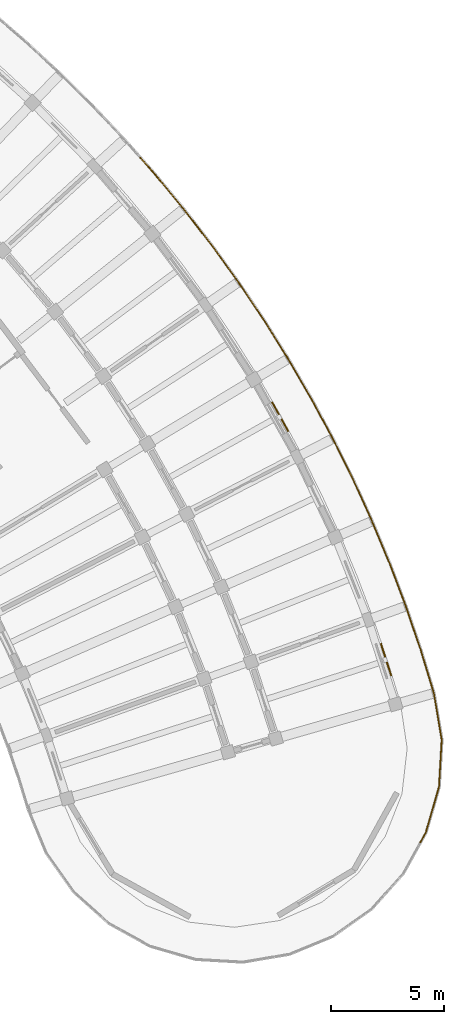
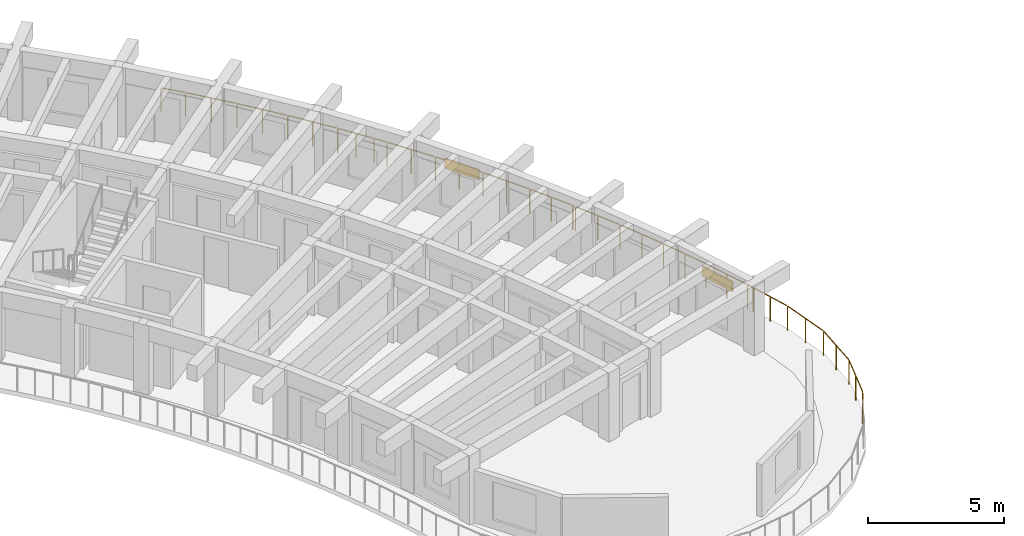
# One storey, part 67 of 69: 4 railings, 2 shading devices.
"""IFC4 building model written with IfcOpenShell, lengths in metres."""

from ifc_helpers import new_model, si_unit, direction, frame, origin, origin_2d, place, context, subcontext, project, spatial, rectangle, circle, extrude, material, layer, layer_set, type_object, element, save


model = new_model("IFC4")

# Units and contexts
model_context = context("Model", 3, precision=1e-05, world=origin(), true_north=direction((0.0, 1.0)))
body_context = subcontext(model_context, "Body", "Model", "MODEL_VIEW")
ifc_project = project(units=[si_unit("LENGTHUNIT", "METRE"), si_unit("AREAUNIT", "SQUARE_METRE"), si_unit("VOLUMEUNIT", "CUBIC_METRE"), si_unit("PLANEANGLEUNIT", "RADIAN"), si_unit("MASSUNIT", "GRAM", prefix="KILO")], contexts=[model_context])

# Site, building, storey
site_placement = place(None, origin())
site = spatial("IfcSite", under=ifc_project, at=site_placement, CompositionType="ELEMENT")
building_placement = place(site_placement, origin())
building = spatial("IfcBuilding", under=site, at=building_placement, Name="Tanwirah Colonnade Gardens", CompositionType="ELEMENT")
storey_placement = place(building_placement, frame((0.0, 0.0, 15.56005859375)))
storey = spatial("IfcBuildingStorey", under=building, at=storey_placement, Name="L04", CompositionType="ELEMENT", Elevation=15.56005859375)

# Railings
ifc_material_1 = material(Name="Precast concrete C40/50", Category="concrete")
railing_type = type_object("IfcRailingType", Name="BAL-EXT112", PredefinedType="BALUSTRADE", material=ifc_material_1)
railing_1_placement = place(storey_placement, frame((166.9609375, 100.77978515625, 0.0)))
element("IfcRailing", 1, at=railing_1_placement, inside=storey, type_object=railing_type, Name="Block B L04 Balcony Ribbon Balustrade 16", PredefinedType="BALUSTRADE", context=body_context, shape_type="SweptSolid", body=[
    extrude(circle(Radius=0.02392578125, at=origin_2d()), frame((0.020751953125, -0.0234375, 1.09619140625), z_axis=(0.662540558748, -0.74902603961, 0.0), x_axis=(0.74902603961, 0.662540558748, 0.0)), (0.0, 0.0, 1.0), 0.885986328125),
    extrude(circle(Radius=0.02392578125, at=origin_2d()), frame((0.6484375, -0.734619140625, 1.09619140625), z_axis=(0.637555355491, -0.770404548717, 0.0), x_axis=(0.770404548717, 0.637555355491, 0.0)), (0.0, 0.0, 1.0), 1.958984375),
    extrude(circle(Radius=0.02392578125, at=origin_2d()), frame((1.936279296875, -2.29248046875, 1.09619140625), z_axis=(0.611856467608, -0.790968812942, 0.0), x_axis=(0.790968812942, 0.611856467608, 0.0)), (0.0, 0.0, 1.0), 1.958984375),
    extrude(circle(Radius=0.02392578125, at=origin_2d()), frame((3.17236328125, -3.89208984375, 1.09619140625), z_axis=(0.585468507287, -0.810695150457, 0.0), x_axis=(0.810695150457, 0.585468507287, 0.0)), (0.0, 0.0, 1.0), 1.958984375),
    extrude(circle(Radius=0.02392578125, at=origin_2d()), frame((4.35498046875, -5.531494140625, 1.09619140625), z_axis=(0.558332900228, -0.829617003516, 0.0), x_axis=(0.829617003516, 0.558332900228, 0.0)), (0.0, 0.0, 1.0), 1.424072265625),
    extrude(circle(Radius=0.02099609375, at=origin_2d()), origin(), (0.0, 0.0, 1.0), 1.069091796875),
    extrude(circle(Radius=0.02099609375, at=origin_2d()), frame((0.62841796875, -0.71044921875, 0.0)), (0.0, 0.0, 1.0), 1.069091796875),
    extrude(circle(Radius=0.02099609375, at=origin_2d()), frame((1.27294921875, -1.4892578125, 0.0)), (0.0, 0.0, 1.0), 1.069091796875),
    extrude(circle(Radius=0.02099609375, at=origin_2d()), frame((1.917236328125, -2.267822265625, 0.0)), (0.0, 0.0, 1.0), 1.069091796875),
    extrude(circle(Radius=0.02099609375, at=origin_2d()), frame((2.53564453125, -3.0673828125, 0.0)), (0.0, 0.0, 1.0), 1.069091796875),
    extrude(circle(Radius=0.02099609375, at=origin_2d()), frame((3.154052734375, -3.86669921875, 0.0)), (0.0, 0.0, 1.0), 1.069091796875),
    extrude(circle(Radius=0.02099609375, at=origin_2d()), frame((3.745849609375, -4.68603515625, 0.0)), (0.0, 0.0, 1.0), 1.069091796875),
    extrude(circle(Radius=0.02099609375, at=origin_2d()), frame((4.337646484375, -5.505615234375, 0.0)), (0.0, 0.0, 1.0), 1.069091796875),
    extrude(circle(Radius=0.02099609375, at=origin_2d()), frame((4.752685546875, -6.122314453125, 0.0)), (0.0, 0.0, 1.0), 1.069091796875),
    extrude(circle(Radius=0.02099609375, at=origin_2d()), frame((5.167724609375, -6.739013671875, 0.0)), (0.0, 0.0, 1.0), 1.069091796875),
])
railing_2_placement = place(storey_placement, frame((172.128662109375, 94.040771484375, 0.0)))
element("IfcRailing", 2, at=railing_2_placement, inside=storey, type_object=railing_type, Name="Block B L04 Balcony Ribbon Balustrade 17", PredefinedType="BALUSTRADE", context=body_context, shape_type="SweptSolid", body=[
    extrude(circle(Radius=0.02392578125, at=origin_2d()), frame((0.017578125, -0.02587890625, 1.09619140625), z_axis=(0.558382411213, -0.829583680437, 0.0), x_axis=(0.829583680437, 0.558382411213, 0.0)), (0.0, 0.0, 1.0), 0.47216796875),
    extrude(circle(Radius=0.02392578125, at=origin_2d()), frame((0.315185546875, -0.47021484375, 1.09619140625), z_axis=(0.530812919598, -0.847489023167, 0.0), x_axis=(0.847489023167, 0.530812919598, 0.0)), (0.0, 0.0, 1.0), 1.958984375),
    extrude(circle(Radius=0.02392578125, at=origin_2d()), frame((1.38720703125, -2.183837890625, 1.09619140625), z_axis=(0.502421024862, -0.864623105045, 0.0), x_axis=(0.864623105045, 0.502421024862, 0.0)), (0.0, 0.0, 1.0), 1.958984375),
    extrude(circle(Radius=0.02392578125, at=origin_2d()), frame((2.402099609375, -3.93212890625, 1.09619140625), z_axis=(0.473826102441, -0.88061843306, 0.0), x_axis=(0.88061843306, 0.473826102441, 0.0)), (0.0, 0.0, 1.0), 1.958740234375),
    extrude(circle(Radius=0.02392578125, at=origin_2d()), frame((3.35888671875, -5.712646484375, 1.09619140625), z_axis=(0.444437722231, -0.895809751598, 0.0), x_axis=(0.895809751598, 0.444437722231, 0.0)), (0.0, 0.0, 1.0), 1.838623046875),
    extrude(circle(Radius=0.02099609375, at=origin_2d()), origin(), (0.0, 0.0, 1.0), 1.069091796875),
    extrude(circle(Radius=0.02099609375, at=origin_2d()), frame((0.298583984375, -0.443603515625, 0.0)), (0.0, 0.0, 1.0), 1.069091796875),
    extrude(circle(Radius=0.02099609375, at=origin_2d()), frame((0.8349609375, -1.30029296875, 0.0)), (0.0, 0.0, 1.0), 1.069091796875),
    extrude(circle(Radius=0.02099609375, at=origin_2d()), frame((1.37158203125, -2.15673828125, 0.0)), (0.0, 0.0, 1.0), 1.069091796875),
    extrude(circle(Radius=0.02099609375, at=origin_2d()), frame((1.87939453125, -3.03076171875, 0.0)), (0.0, 0.0, 1.0), 1.069091796875),
    extrude(circle(Radius=0.02099609375, at=origin_2d()), frame((2.38720703125, -3.904541015625, 0.0)), (0.0, 0.0, 1.0), 1.069091796875),
    extrude(circle(Radius=0.02099609375, at=origin_2d()), frame((2.8662109375, -4.79443359375, 0.0)), (0.0, 0.0, 1.0), 1.069091796875),
    extrude(circle(Radius=0.02099609375, at=origin_2d()), frame((3.344970703125, -5.6845703125, 0.0)), (0.0, 0.0, 1.0), 1.069091796875),
    extrude(circle(Radius=0.02099609375, at=origin_2d()), frame((3.767578125, -6.5361328125, 0.0)), (0.0, 0.0, 1.0), 1.069091796875),
    extrude(circle(Radius=0.02099609375, at=origin_2d()), frame((4.18994140625, -7.3876953125, 0.0)), (0.0, 0.0, 1.0), 1.069091796875),
])
railing_3_placement = place(storey_placement, frame((176.318603515625, 86.653076171875, 0.0)))
element("IfcRailing", 3, at=railing_3_placement, inside=storey, type_object=railing_type, Name="Block B L04 Balcony Ribbon Balustrade 18", PredefinedType="BALUSTRADE", context=body_context, shape_type="SweptSolid", body=[
    extrude(circle(Radius=0.02392578125, at=origin_2d()), frame((0.013916015625, -0.028076171875, 1.09619140625), z_axis=(0.443967059849, -0.896043107093, 0.0), x_axis=(0.896043107093, 0.443967059849, 0.0)), (0.0, 0.0, 1.0), 0.057861328125),
    extrude(circle(Radius=0.02392578125, at=origin_2d()), frame((0.06640625, -0.136474609375, 1.09619140625), z_axis=(0.414749084938, -0.909935820013, 0.0), x_axis=(0.909935820013, 0.414749084938, 0.0)), (0.0, 0.0, 1.0), 1.958984375),
    extrude(circle(Radius=0.02392578125, at=origin_2d()), frame((0.90380859375, -1.97607421875, 1.09619140625), z_axis=(0.384409566544, -0.92316265368, 0.0), x_axis=(0.92316265368, 0.384409566544, 0.0)), (0.0, 0.0, 1.0), 1.958984375),
    extrude(circle(Radius=0.02392578125, at=origin_2d()), frame((1.679931640625, -3.8427734375, 1.09619140625), z_axis=(0.353874964852, -0.935292739869, 0.0), x_axis=(0.935292739869, 0.353874964852, 0.0)), (0.0, 0.0, 1.0), 1.958984375),
    extrude(circle(Radius=0.02392578125, at=origin_2d()), frame((2.394287109375, -5.733642578125, 1.09619140625), z_axis=(0.322850987486, -0.946449808431, 0.0), x_axis=(0.946449808431, 0.322850987486, 0.0)), (0.0, 0.0, 1.0), 1.958740234375),
    extrude(circle(Radius=0.02392578125, at=origin_2d()), frame((3.0458984375, -7.647216796875, 1.09619140625), z_axis=(0.290930071213, -0.956744319902, 0.0), x_axis=(0.956744319902, 0.290930071213, 0.0)), (0.0, 0.0, 1.0), 0.231201171875),
    extrude(circle(Radius=0.02099609375, at=origin_2d()), origin(), (0.0, 0.0, 1.0), 1.069091796875),
    extrude(circle(Radius=0.02099609375, at=origin_2d()), frame((0.053466796875, -0.10791015625, 0.0)), (0.0, 0.0, 1.0), 1.069091796875),
    extrude(circle(Radius=0.02099609375, at=origin_2d()), frame((0.47265625, -1.027587890625, 0.0)), (0.0, 0.0, 1.0), 1.069091796875),
    extrude(circle(Radius=0.02099609375, at=origin_2d()), frame((0.891845703125, -1.947265625, 0.0)), (0.0, 0.0, 1.0), 1.069091796875),
    extrude(circle(Radius=0.02099609375, at=origin_2d()), frame((1.2802734375, -2.88037109375, 0.0)), (0.0, 0.0, 1.0), 1.069091796875),
    extrude(circle(Radius=0.02099609375, at=origin_2d()), frame((1.6689453125, -3.8134765625, 0.0)), (0.0, 0.0, 1.0), 1.069091796875),
    extrude(circle(Radius=0.02099609375, at=origin_2d()), frame((2.026611328125, -4.7587890625, 0.0)), (0.0, 0.0, 1.0), 1.069091796875),
    extrude(circle(Radius=0.02099609375, at=origin_2d()), frame((2.38427734375, -5.7041015625, 0.0)), (0.0, 0.0, 1.0), 1.069091796875),
    extrude(circle(Radius=0.02099609375, at=origin_2d()), frame((2.71044921875, -6.66064453125, 0.0)), (0.0, 0.0, 1.0), 1.069091796875),
    extrude(circle(Radius=0.02099609375, at=origin_2d()), frame((3.036865234375, -7.6171875, 0.0)), (0.0, 0.0, 1.0), 1.069091796875),
    extrude(circle(Radius=0.02099609375, at=origin_2d()), frame((3.122314453125, -7.898193359375, 0.0)), (0.0, 0.0, 1.0), 1.069091796875),
])
railing_4_placement = place(storey_placement, frame((179.44091796875, 78.7548828125, 0.0)))
element("IfcRailing", 4, at=railing_4_placement, inside=storey, type_object=railing_type, Name="Block B L04 Balcony Ribbon Balustrade 19", PredefinedType="BALUSTRADE", context=body_context, shape_type="SweptSolid", body=[
    extrude(circle(Radius=0.02392578125, at=origin_2d()), frame((0.009033203125, -0.02978515625, 1.09619140625), z_axis=(0.29143772277, -0.956589804329, 0.0), x_axis=(0.956589804329, 0.29143772277, 0.0)), (0.0, 0.0, 1.0), 1.661376953125),
    extrude(circle(Radius=0.02392578125, at=origin_2d()), frame((0.507568359375, -1.679931640625, 1.09619140625), z_axis=(0.166292387508, -0.986076488847, 0.0), x_axis=(0.986076488847, 0.166292387508, 0.0)), (0.0, 0.0, 1.0), 2.028076171875),
    extrude(circle(Radius=0.02392578125, at=origin_2d()), frame((0.848388671875, -3.741943359375, 1.09619140625), z_axis=(-0.057322977065, -0.998355686266, 0.0), x_axis=(0.998355686266, -0.057322977065, 0.0)), (0.0, 0.0, 1.0), 2.0244140625),
    extrude(circle(Radius=0.02392578125, at=origin_2d()), frame((0.7216796875, -5.82421875, 1.09619140625), z_axis=(-0.277964335026, -0.960591395159, 0.0), x_axis=(0.960591395159, -0.277964335026, 0.0)), (0.0, 0.0, 1.0), 2.0244140625),
    extrude(circle(Radius=0.02392578125, at=origin_2d()), frame((0.13525390625, -7.826171875, 1.09619140625), z_axis=(-0.48479192052, -0.874629518024, 0.0), x_axis=(0.874629518024, -0.48479192052, 0.0)), (0.0, 0.0, 1.0), 0.44921875),
    extrude(circle(Radius=0.02099609375, at=origin_2d()), origin(), (0.0, 0.0, 1.0), 1.069091796875),
    extrude(circle(Radius=0.02099609375, at=origin_2d()), frame((0.251220703125, -0.82470703125, 0.0)), (0.0, 0.0, 1.0), 1.069091796875),
    extrude(circle(Radius=0.02099609375, at=origin_2d()), frame((0.50244140625, -1.649169921875, 0.0)), (0.0, 0.0, 1.0), 1.069091796875),
    extrude(circle(Radius=0.02099609375, at=origin_2d()), frame((0.67626953125, -2.679931640625, 0.0)), (0.0, 0.0, 1.0), 1.069091796875),
    extrude(circle(Radius=0.02099609375, at=origin_2d()), frame((0.85009765625, -3.710693359375, 0.0)), (0.0, 0.0, 1.0), 1.069091796875),
    extrude(circle(Radius=0.02099609375, at=origin_2d()), frame((0.790283203125, -4.75244140625, 0.0)), (0.0, 0.0, 1.0), 1.069091796875),
    extrude(circle(Radius=0.02099609375, at=origin_2d()), frame((0.73046875, -5.794189453125, 0.0)), (0.0, 0.0, 1.0), 1.069091796875),
    extrude(circle(Radius=0.02099609375, at=origin_2d()), frame((0.4404296875, -6.79638671875, 0.0)), (0.0, 0.0, 1.0), 1.069091796875),
    extrude(circle(Radius=0.02099609375, at=origin_2d()), frame((0.150390625, -7.798828125, 0.0)), (0.0, 0.0, 1.0), 1.069091796875),
    extrude(circle(Radius=0.02099609375, at=origin_2d()), frame((-0.09765625, -8.246337890625, 0.0)), (0.0, 0.0, 1.0), 1.069091796875),
])

# Shading devices
ifc_material_2 = material(Name="Perforated architectural bronze aluminium", Category="aluminium")
ifc_layer = layer(ifc_material_2, 0.050048828125)
ifc_layer_set = layer_set([ifc_layer], Name="Perforated architectural bronze aluminium")
shading_device_type = type_object("IfcShadingDeviceType", Name="SHD-OVH1", PredefinedType="SHUTTER", material=ifc_layer_set)
shading_device_1_placement = place(storey_placement, frame((177.831787109375, 78.588623046875, 1.93505859375), z_axis=(0.0, 0.0, 1.0), x_axis=(-0.307171739363, 0.951654098156, 0.0)))
element("IfcShadingDevice", 5, at=shading_device_1_placement, inside=storey, type_object=shading_device_type, Name="Solar shading louver hood B-L04-00", PredefinedType="SHUTTER", context=body_context, shape_type="SweptSolid", body=[
    extrude(rectangle(XDim=1.5, YDim=0.06005859375, at=origin_2d()), origin(), (0.0, 0.0, 1.0), 0.449951171875),
])
shading_device_2_placement = place(storey_placement, frame((173.1513671875, 89.32421875, 2.0048828125), z_axis=(0.0, 0.0, 1.0), x_axis=(-0.488198368322, 0.872732692849, 0.0)))
element("IfcShadingDevice", 6, at=shading_device_2_placement, inside=storey, type_object=shading_device_type, Name="Solar shading louver hood B-L04-03", PredefinedType="SHUTTER", context=body_context, shape_type="SweptSolid", body=[
    extrude(rectangle(XDim=1.47998046875, YDim=0.06005859375, at=origin_2d()), origin(), (0.0, 0.0, 1.0), 0.449951171875),
])

save(model, "model.ifc")
